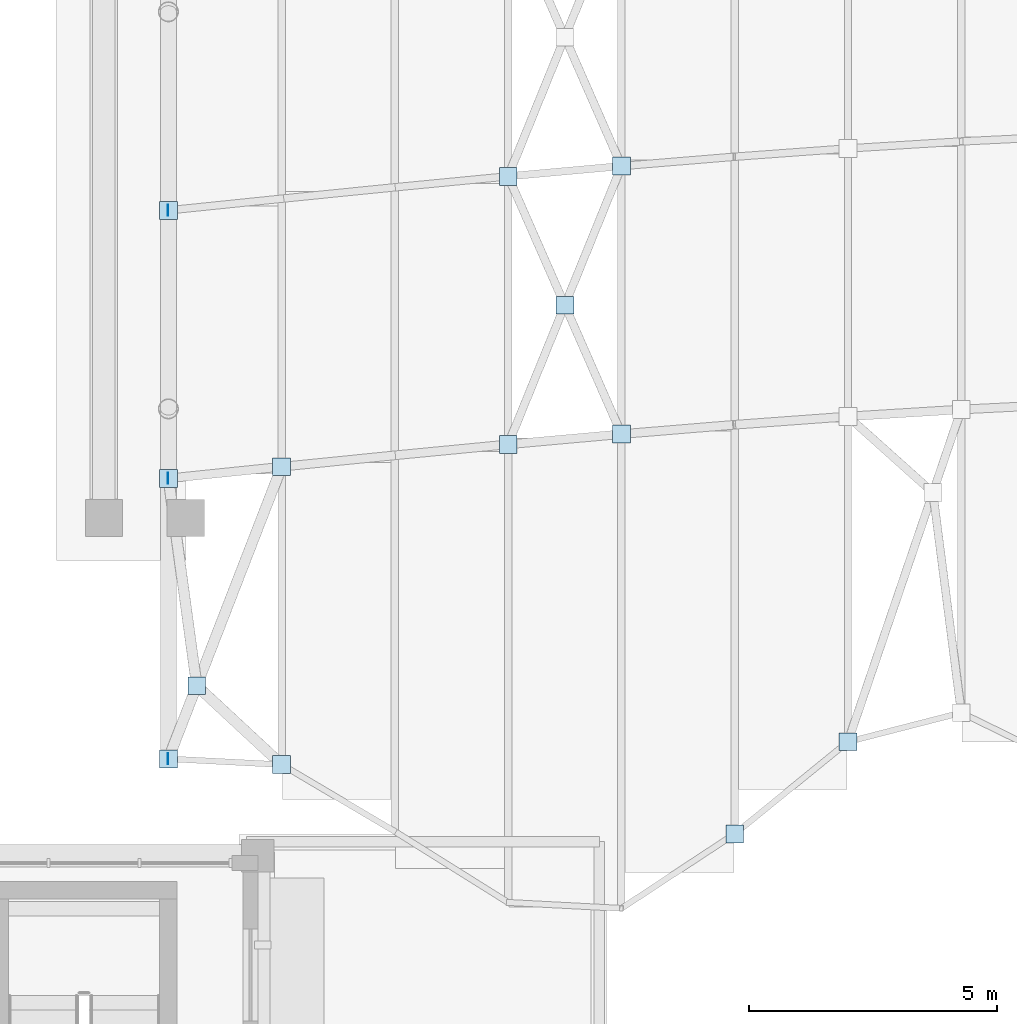
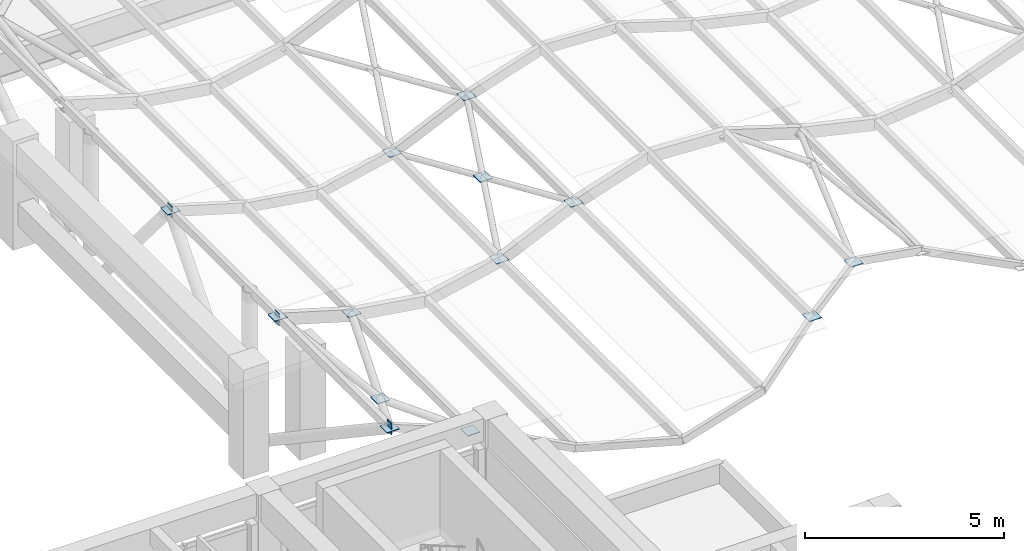
# One storey, part 45 of 79: 16 plates.
"""IFC4 building model written with IfcOpenShell, lengths in metres."""

import ifcopenshell
import ifcopenshell.guid

model = None  # the IFC model being written
_history = None  # IfcOwnerHistory: only IFC2X3 demands one
_inside = {}  # id of a spatial element -> (the spatial element, [elements in it])
_under = {}  # id of a project, library or spatial element -> (it, [spatial elements below it])
_declared = {}  # id of a project -> (the project, [libraries it declares])
_typed = {}  # id of a type object -> (the type object, [elements of that type])
_made_of = {}  # id of a material, layer set ... -> (it, [elements and type objects made of it])


def new_model(schema):
    """Start an empty IFC model of exactly this schema.

    Asked for "IFC4X3", IfcOpenShell would pick the latest addendum, in which some entities
    have other attributes; the version numbers below select the first issue.
    IFC2X3 requires an IfcOwnerHistory on every rooted entity: one is made here for all.
    """
    global model, _history
    if schema == "IFC4X3":
        model = ifcopenshell.file(schema_version=(4, 3, 0, 0))
    else:
        model = ifcopenshell.file(schema=schema)
    _inside.clear()
    _under.clear()
    _declared.clear()
    _typed.clear()
    _made_of.clear()
    _history = None
    if model.schema == "IFC2X3":
        org = make("IfcOrganization", Name="unknown")
        user = make(
            "IfcPersonAndOrganization",
            ThePerson=make("IfcPerson", FamilyName="unknown"),
            TheOrganization=org,
        )
        app = make(
            "IfcApplication",
            ApplicationDeveloper=org,
            Version="unknown",
            ApplicationFullName="unknown",
            ApplicationIdentifier="unknown",
        )
        _history = make(
            "IfcOwnerHistory",
            OwningUser=user,
            OwningApplication=app,
            ChangeAction="ADDED",
            CreationDate=0,
        )
    return model


def make(cls, **values):
    """One entity of the class cls with the attributes given. An attribute that is None is left unset."""
    return model.create_entity(
        cls, **{name: value for name, value in values.items() if value is not None}
    )


def rooted(cls, **values):
    """An entity with a GlobalId (a new one), such as an element, a storey or a relation."""
    return make(cls, GlobalId=ifcopenshell.guid.new(), OwnerHistory=_history, **values)


def si_unit(unit_type, name, prefix=None):
    """IfcSIUnit, for example si_unit("LENGTHUNIT", "METRE", prefix="MILLI")."""
    return make("IfcSIUnit", UnitType=unit_type, Prefix=prefix, Name=name)


def assignment(units):
    """IfcUnitAssignment: the units of a project."""
    return None if units is None else make("IfcUnitAssignment", Units=units)


def point(xyz):
    """IfcCartesianPoint."""
    return None if xyz is None else make("IfcCartesianPoint", Coordinates=xyz)


def direction(xyz):
    """IfcDirection."""
    return None if xyz is None else make("IfcDirection", DirectionRatios=xyz)


def frame(location, z_axis=None, x_axis=None):
    """IfcAxis2Placement3D, a coordinate frame: its origin and axes. An axis left out is left unset."""
    return make(
        "IfcAxis2Placement3D",
        Location=point(location),
        Axis=direction(z_axis),
        RefDirection=direction(x_axis),
    )


def frame_2d(location, x_axis=None):
    """IfcAxis2Placement2D, a coordinate frame in the plane: its origin and x axis."""
    return make(
        "IfcAxis2Placement2D", Location=point(location), RefDirection=direction(x_axis)
    )


def origin():
    """The frame at (0, 0, 0) with its axes left unset."""
    return frame((0.0, 0.0, 0.0))


def origin_2d():
    """The frame at (0, 0) in the plane with its x axis left unset."""
    return frame_2d((0.0, 0.0))


def place(relative_to, where):
    """IfcLocalPlacement: puts the frame where relative to a parent placement (None: the world)."""
    return make(
        "IfcLocalPlacement", PlacementRelTo=relative_to, RelativePlacement=where
    )


def context(
    kind, dimensions, precision=None, world=None, true_north=None, identifier=None
):
    """IfcGeometricRepresentationContext, for example the 3D "Model" context."""
    return make(
        "IfcGeometricRepresentationContext",
        ContextIdentifier=identifier,
        ContextType=kind,
        CoordinateSpaceDimension=dimensions,
        Precision=precision,
        WorldCoordinateSystem=world,
        TrueNorth=true_north,
    )


def subcontext(parent, identifier, kind, view, scale=None):
    """IfcGeometricRepresentationSubContext, for example "Body" below "Model"."""
    return make(
        "IfcGeometricRepresentationSubContext",
        ContextIdentifier=identifier,
        ContextType=kind,
        ParentContext=parent,
        TargetScale=scale,
        TargetView=view,
    )


def project(units=None, contexts=None):
    """IfcProject with its units and contexts."""
    return rooted(
        "IfcProject",
        Name="project",
        RepresentationContexts=contexts,
        UnitsInContext=assignment(units),
    )


def spatial(cls, under=None, at=None, **own):
    """A site, building, storey or space (cls), placed at a placement, below another one or the project."""
    s = rooted(cls, ObjectPlacement=at, **own)
    if under is not None:
        _under.setdefault(under.id(), (under, []))[1].append(s)
    return s


def profile(cls, at=None, kind="AREA", **sizes):
    """A parametric profile (cls). Its sizes go by their IFC names, for example OverallWidth=200.0."""
    return make(cls, ProfileType=kind, Position=at, **sizes)


def rectangle(**sizes):
    """IfcRectangleProfileDef."""
    return profile("IfcRectangleProfileDef", **sizes)


def extrude(swept, where, along, depth):
    """IfcExtrudedAreaSolid: the profile swept, set in the frame where, extruded along a direction by depth."""
    return make(
        "IfcExtrudedAreaSolid",
        SweptArea=swept,
        Position=where,
        ExtrudedDirection=direction(along),
        Depth=depth,
    )


def shape(context_of_items, identifier, shape_type, items):
    """IfcShapeRepresentation: the items that make up one representation, for example the "Body"."""
    return make(
        "IfcShapeRepresentation",
        ContextOfItems=context_of_items,
        RepresentationIdentifier=identifier,
        RepresentationType=shape_type,
        Items=items,
    )


def material(Name=None, Category=None):
    """IfcMaterial."""
    return make("IfcMaterial", Name=Name, Category=Category)


def layer(
    of_material, thickness, ventilated=None, Name=None, Category=None, Priority=None
):
    """IfcMaterialLayer: one layer of a wall or slab, of a material (None: an air gap)."""
    return make(
        "IfcMaterialLayer",
        Material=of_material,
        LayerThickness=thickness,
        IsVentilated=ventilated,
        Name=Name,
        Category=Category,
        Priority=Priority,
    )


def layer_set(layers, Name=None):
    """IfcMaterialLayerSet."""
    return make("IfcMaterialLayerSet", MaterialLayers=layers, LayerSetName=Name)


def made_of(thing, what):
    """Note that an element or type object is made of a material, layer set ...; save() writes the relation."""
    if what is not None:
        _made_of.setdefault(what.id(), (what, []))[1].append(thing)
    return thing


def type_object(cls, material=None, **own):
    """A type object (cls), such as IfcWallType, which elements share."""
    return made_of(rooted(cls, **own), material)


def element(
    cls,
    number,
    at=None,
    inside=None,
    cuts=None,
    type_object=None,
    material=None,
    context=None,
    identifier="Body",
    shape_type=None,
    held_by="IfcProductDefinitionShape",
    body=None,
    shapes=None,
    **own,
):
    """One element of the class cls, such as IfcWall. Its Tag is "e" and its number.

    at: its placement. inside: the storey or other place that contains it. cuts: it is an
    opening in that element (IfcRelVoidsElement). A single representation is given by context,
    identifier, shape_type and body (its items); several are given by shapes. held_by: the class
    of the entity that holds the representations. save() writes the other relations.
    """
    e = rooted(cls, Tag="e%d" % number, ObjectPlacement=at, **own)
    if body is not None:
        shapes = [shape(context, identifier, shape_type, body)]
    if shapes is not None:
        e.Representation = make(held_by, Representations=shapes)
    if inside is not None:
        _inside.setdefault(inside.id(), (inside, []))[1].append(e)
    if cuts is not None:
        rooted(
            "IfcRelVoidsElement", RelatingBuildingElement=cuts, RelatedOpeningElement=e
        )
    if type_object is not None:
        _typed.setdefault(type_object.id(), (type_object, []))[1].append(e)
    return made_of(e, material)


def aggregate(whole, parts):
    """IfcRelAggregates: a whole, such as a stair, and the parts it consists of."""
    return rooted("IfcRelAggregates", RelatingObject=whole, RelatedObjects=parts)


def save(model, path):
    """Write the relations noted so far, then the file.

    IfcRelAggregates (storeys below a building ...), IfcRelContainedInSpatialStructure (elements
    in a storey), IfcRelDefinesByType, IfcRelAssociatesMaterial and IfcRelDeclares: one each for
    every whole, place, type object, material and project.
    """
    for whole, parts in _under.values():
        aggregate(whole, parts)
    for where, things in _inside.values():
        rooted(
            "IfcRelContainedInSpatialStructure",
            RelatedElements=things,
            RelatingStructure=where,
        )
    for kind, things in _typed.values():
        rooted("IfcRelDefinesByType", RelatedObjects=things, RelatingType=kind)
    for what, things in _made_of.values():
        rooted("IfcRelAssociatesMaterial", RelatedObjects=things, RelatingMaterial=what)
    for by, libraries in _declared.values():
        rooted("IfcRelDeclares", RelatingContext=by, RelatedDefinitions=libraries)
    model.write(path)


model = new_model("IFC4")

# Units and contexts
model_context = context("Model", 3, precision=1e-05, world=origin(), true_north=direction((0.0, 1.0)))
body_context = subcontext(model_context, "Body", "Model", "MODEL_VIEW")
ifc_project = project(units=[si_unit("LENGTHUNIT", "METRE"), si_unit("AREAUNIT", "SQUARE_METRE"), si_unit("VOLUMEUNIT", "CUBIC_METRE"), si_unit("PLANEANGLEUNIT", "RADIAN"), si_unit("MASSUNIT", "GRAM", prefix="KILO")], contexts=[model_context])

# Site, building, storey
site_placement = place(None, origin())
site = spatial("IfcSite", under=ifc_project, at=site_placement, CompositionType="ELEMENT")
building_placement = place(site_placement, origin())
building = spatial("IfcBuilding", under=site, at=building_placement, Name="Kolvaren Faculty of Natural Sciences", CompositionType="ELEMENT")
storey_placement = place(building_placement, frame((0.0, 0.0, 10.199951171875)))
storey = spatial("IfcBuildingStorey", under=building, at=storey_placement, Name="L02", CompositionType="ELEMENT", Elevation=10.199951171875)

# Plates
ifc_material_1 = material(Name="Structural steel EN 10025-2 S355J2 (white architectural finish)", Category="steel")
ifc_layer_1 = layer(ifc_material_1, 0.02001953125)
ifc_layer_set_1 = layer_set([ifc_layer_1], Name="Structural steel EN 10025-2 S355J2 (white architectural finish)")
plate_type_1 = type_object("IfcPlateType", Name="BranchTipCollarPlate_TN3", PredefinedType="USERDEFINED", material=ifc_layer_set_1)
for number, where, z_axis, x_axis, name in (
    (1, (49.4091796875, 42.63720703125, 4.0595703125), (0.0, 0.0, 1.0), (1.0, 0.0, 0.0), "Steel tree TREE-01 branch tip collar node TN3"),
    (2, (38.0, 44.14990234375, 3.714599609375), (0.0, 0.0, 1.0), (1.0, 0.0, 0.0), "Canopy portal W-S-EAVE tip node TN3"),
    (3, (38.0, 55.199951171875, 3.714599609375), (0.0, 0.0, 1.0), (1.0, 0.0, 0.0), "Canopy portal W-S-RIDGE tip node TN3"),
    (4, (38.570556640625, 45.62109375, 3.5078125), (0.0, 0.0, 1.0), (1.0, 0.0, 0.0), "Canopy X-brace crossing gusset plate S1-1-0"),
    (5, (40.28173828125, 50.034912109375, 2.887451171875), (0.0, 0.0, 1.0), (1.0, 0.0, 0.0), "Canopy X-brace end gusset plate S1-1-2"),
    (6, (38.0, 49.800048828125, 3.714599609375), (0.0, 0.0, 1.0), (1.0, 0.0, 0.0), "Canopy X-brace end gusset plate S1-1-3"),
    (7, (40.28173828125, 44.033203125, 2.887451171875), (0.0, 0.0, 1.0), (1.0, 0.0, 0.0), "Canopy X-brace end gusset plate S1-1-4"),
    (8, (45.986328125, 53.288818359375, 3.078125), (0.0, 0.0, 1.0), (1.0, 0.0, 0.0), "Canopy X-brace crossing gusset plate S2-4-0"),
    (9, (44.845458984375, 50.4853515625, 2.6689453125), (0.0, 0.0, 1.0), (1.0, 0.0, 0.0), "Canopy X-brace end gusset plate S2-4-1"),
    (10, (47.127197265625, 56.092041015625, 3.487548828125), (0.0, 0.0, 1.0), (1.0, 0.0, 0.0), "Canopy X-brace end gusset plate S2-4-2"),
    (11, (44.845458984375, 55.885498046875, 2.6689453125), (0.0, 0.0, 1.0), (1.0, 0.0, 0.0), "Canopy X-brace end gusset plate S2-4-3"),
    (12, (47.127197265625, 50.692138671875, 3.487548828125), (0.0, 0.0, 1.0), (1.0, 0.0, 0.0), "Canopy X-brace end gusset plate S2-4-4"),
    (13, (51.69091796875, 44.492919921875, 3.804931640625), (0.0, 0.0, 1.0), (1.0, 0.0, 0.0), "Canopy X-brace end gusset plate S1-7-1"),
):
    element("IfcPlate", number, at=place(storey_placement, frame(where, z_axis=z_axis, x_axis=x_axis)), inside=storey, type_object=plate_type_1, Name=name, ObjectType="GUSSET PLATE", PredefinedType="USERDEFINED", context=body_context, shape_type="SweptSolid", body=[
        extrude(rectangle(XDim=0.360107421875, YDim=0.360107421875, at=origin_2d()), origin(), (0.0, 0.0, 1.0), 0.02001953125),
    ])
ifc_material_2 = material(Name="Structural steel EN 10210-1 S355J2H (white architectural finish)", Category="steel")
ifc_layer_2 = layer(ifc_material_2, 0.01611328125)
ifc_layer_set_2 = layer_set([ifc_layer_2], Name="Structural steel EN 10210-1 S355J2H (white architectural finish)")
plate_type_2 = type_object("IfcPlateType", Name="CanopyBeamEndCap_EC1", PredefinedType="USERDEFINED", material=ifc_layer_set_2)
for number, where, z_axis, x_axis, name in (
    (14, (37.991943359375, 44.14990234375, 3.5595703125), (0.0, 0.0, 1.0), (1.0, 0.0, 0.0), "Covered street canopy west end cap plate S-WAVE"),
    (15, (37.991943359375, 49.800048828125, 3.49462890625), (0.0, 0.0, 1.0), (1.0, 0.0, 0.0), "Covered street canopy west end cap plate S-SPINE"),
    (16, (37.991943359375, 55.199951171875, 3.51953125), (0.0, 0.0, 1.0), (1.0, 0.0, 0.0), "Covered street canopy west end cap plate RIDGE"),
):
    element("IfcPlate", number, at=place(storey_placement, frame(where, z_axis=z_axis, x_axis=x_axis)), inside=storey, type_object=plate_type_2, Name=name, ObjectType="GUSSET PLATE", PredefinedType="USERDEFINED", context=body_context, shape_type="SweptSolid", body=[
        extrude(rectangle(XDim=0.01611328125, YDim=0.219970703125, at=origin_2d()), origin(), (0.0, 0.0, 1.0), 0.360107421875),
    ])

save(model, "model.ifc")
